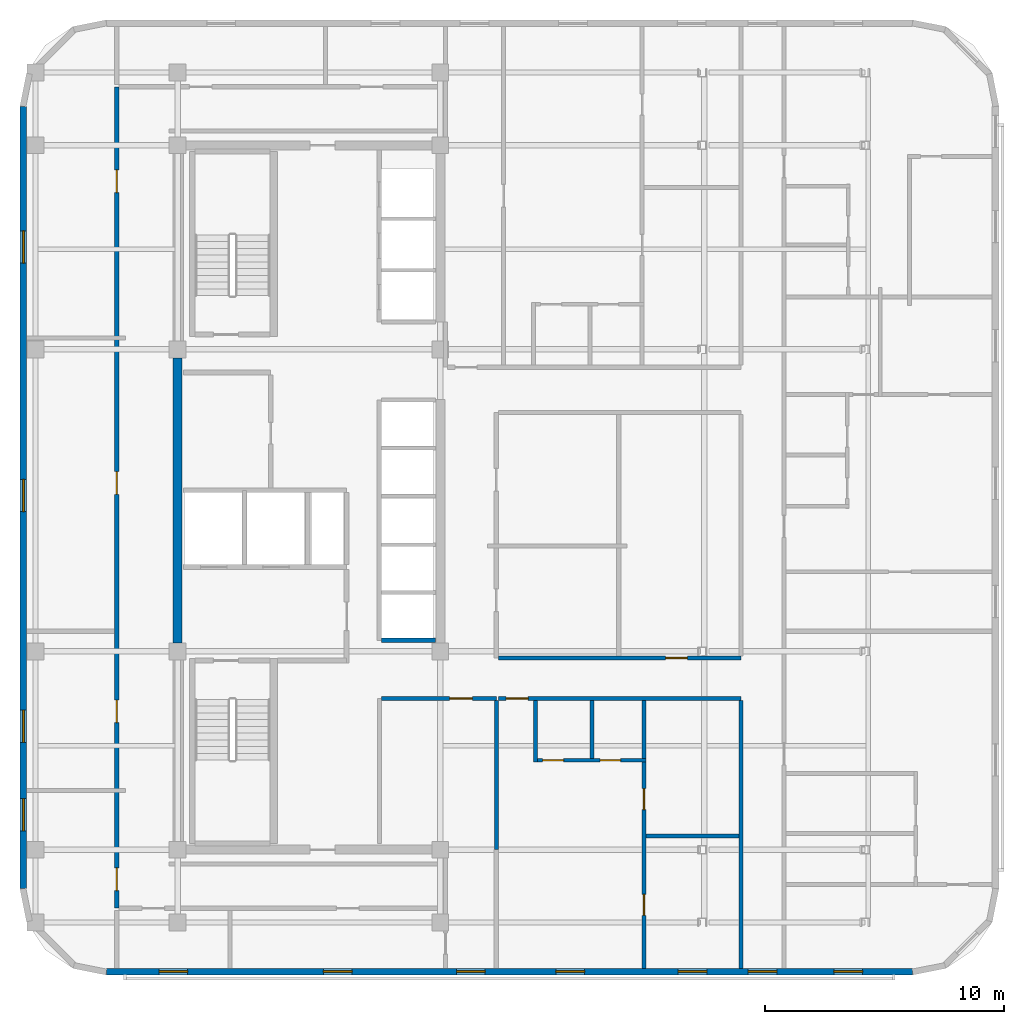
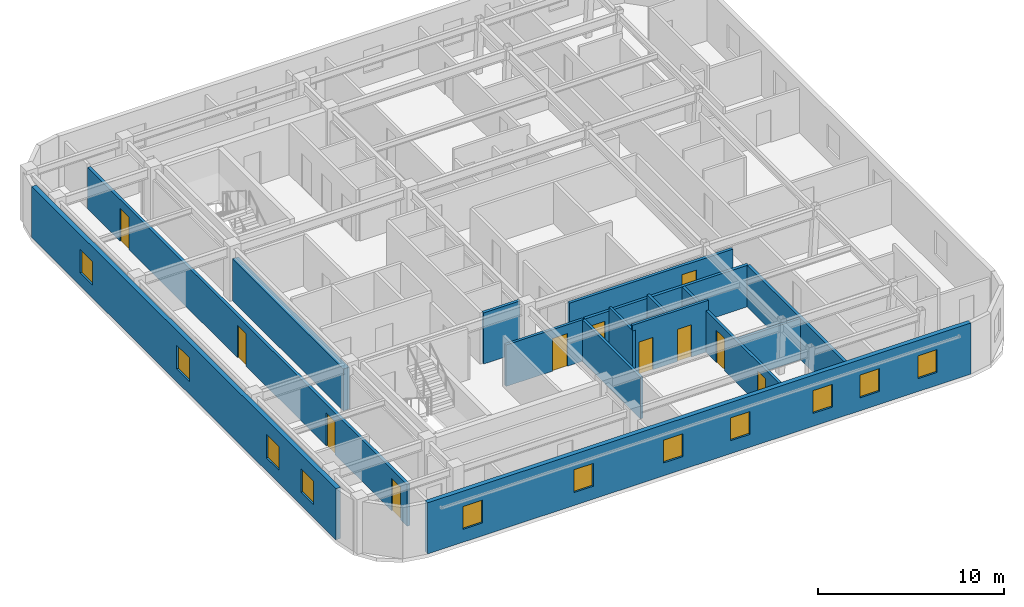
# One storey, part 3 of 10: 15 walls, 11 doors, 11 windows, 22 openings.
"""IFC4 building model written with IfcOpenShell, lengths in metres."""

from ifc_helpers import new_model, si_unit, direction, frame, frame_2d, origin, place, context, subcontext, project, spatial, rectangle, extrude, material, layer, layer_set, type_object, element, fill, save


model = new_model("IFC4")

# Units and contexts
model_context = context("Model", 3, precision=1e-05, world=origin(), true_north=direction((0.0, 1.0)))
body_context = subcontext(model_context, "Body", "Model", "MODEL_VIEW")
ifc_project = project(units=[si_unit("LENGTHUNIT", "METRE"), si_unit("AREAUNIT", "SQUARE_METRE"), si_unit("VOLUMEUNIT", "CUBIC_METRE"), si_unit("PLANEANGLEUNIT", "RADIAN"), si_unit("MASSUNIT", "GRAM", prefix="KILO")], contexts=[model_context])

# Site, building, storey
site_placement = place(None, origin())
site = spatial("IfcSite", under=ifc_project, at=site_placement, CompositionType="ELEMENT")
building_placement = place(site_placement, origin())
building = spatial("IfcBuilding", under=site, at=building_placement, Name="Ochreholt Gables", CompositionType="ELEMENT")
storey_placement = place(building_placement, frame((0.0, 0.0, 177.60009765625)))
storey = spatial("IfcBuildingStorey", under=building, at=storey_placement, Name="L46", CompositionType="ELEMENT", Elevation=177.60009765625)

# Wall
ifc_material_1 = material(Name="Concrete 50 MPa", Category="concrete")
ifc_layer_1 = layer(ifc_material_1, 0.3798828125, Name="Concrete 50 MPa")
ifc_layer_set_1 = layer_set([ifc_layer_1], Name="Concrete 50 MPa")
wall_type_1 = type_object("IfcWallType", Name="WALL-CSW-380", PredefinedType="SHEAR", material=ifc_layer_set_1)
wall_1_placement = place(storey_placement, frame((24.18994140625, 17.89990234375, 0.0), z_axis=(0.0, 0.0, 1.0), x_axis=(0.0, 1.0, 0.0)))
element("IfcWall", 1, at=wall_1_placement, inside=storey, type_object=wall_type_1, Name="L46 Core West Shear Wall WM", PredefinedType="SHEAR", context=body_context, shape_type="SweptSolid", body=[
    extrude(rectangle(XDim=11.9501953125, YDim=0.3798828125, at=frame_2d((5.97509765625, 0.0))), origin(), (0.0, 0.0, 1.0), 2.747802734375),
])

# Wall, openings, windows
ifc_material_2 = material(Name="Precast concrete 40 MPa", Category="concrete")
ifc_layer_2 = layer(ifc_material_2, 0.280029296875, Name="Precast concrete 40 MPa")
ifc_layer_set_2 = layer_set([ifc_layer_2], Name="Precast concrete 40 MPa")
wall_type_2 = type_object("IfcWallType", Name="WALL-EXT-280", PredefinedType="SOLIDWALL", material=ifc_layer_set_2)
wall_2_placement = place(storey_placement, frame((21.219970703125, 4.139892578125, 0.0), z_axis=(0.0, 0.0, 1.0), x_axis=(1.0, 0.0, 0.0)))
wall_2 = element("IfcWall", 2, at=wall_2_placement, inside=storey, type_object=wall_type_2, Name="L46 South Exterior Wall", PredefinedType="SOLIDWALL", context=body_context, shape_type="SweptSolid", body=[
    extrude(rectangle(XDim=33.760009765625, YDim=0.280029296875, at=frame_2d((16.8798828125, 0.0))), origin(), (0.0, 0.0, 1.0), 3.35986328125),
])
opening_1_placement = place(wall_2_placement, frame((2.205078125, 0.0, 0.85009765625)))
opening_1 = element("IfcOpeningElement", 3, at=opening_1_placement, cuts=wall_2, Name="Opening WN-3", PredefinedType="OPENING", context=body_context, shape_type="SweptSolid", body=[
    extrude(rectangle(XDim=1.199951171875, YDim=1.5, at=frame_2d((0.60009765625, 0.75))), frame((0.0, 0.14990234375, 0.0), z_axis=(0.0, -1.0, 0.0), x_axis=(1.0, 0.0, 0.0)), (0.0, 0.0, 1.0), 0.300048828125),
])
opening_2_placement = place(wall_2_placement, frame((9.090087890625, 0.0, 0.85009765625)))
opening_2 = element("IfcOpeningElement", 4, at=opening_2_placement, cuts=wall_2, Name="Opening WN-3", PredefinedType="OPENING", context=body_context, shape_type="SweptSolid", body=[
    extrude(rectangle(XDim=1.199951171875, YDim=1.5, at=frame_2d((0.60009765625, 0.75))), frame((0.0, 0.14990234375, 0.0), z_axis=(0.0, -1.0, 0.0), x_axis=(1.0, 0.0, 0.0)), (0.0, 0.0, 1.0), 0.300048828125),
])
opening_3_placement = place(wall_2_placement, frame((14.6650390625, 0.0, 0.85009765625)))
opening_3 = element("IfcOpeningElement", 5, at=opening_3_placement, cuts=wall_2, Name="Opening WN-3", PredefinedType="OPENING", context=body_context, shape_type="SweptSolid", body=[
    extrude(rectangle(XDim=1.199951171875, YDim=1.5, at=frame_2d((0.60009765625, 0.75))), frame((0.0, 0.14990234375, 0.0), z_axis=(0.0, -1.0, 0.0), x_axis=(1.0, 0.0, 0.0)), (0.0, 0.0, 1.0), 0.300048828125),
])
opening_4_placement = place(wall_2_placement, frame((18.824951171875, 0.0, 0.85009765625)))
opening_4 = element("IfcOpeningElement", 6, at=opening_4_placement, cuts=wall_2, Name="Opening WN-3", PredefinedType="OPENING", context=body_context, shape_type="SweptSolid", body=[
    extrude(rectangle(XDim=1.199951171875, YDim=1.5, at=frame_2d((0.60009765625, 0.75))), frame((0.0, 0.14990234375, 0.0), z_axis=(0.0, -1.0, 0.0), x_axis=(1.0, 0.0, 0.0)), (0.0, 0.0, 1.0), 0.300048828125),
])
opening_5_placement = place(wall_2_placement, frame((23.949951171875, 0.0, 0.85009765625)))
opening_5 = element("IfcOpeningElement", 7, at=opening_5_placement, cuts=wall_2, Name="Opening WN-3", PredefinedType="OPENING", context=body_context, shape_type="SweptSolid", body=[
    extrude(rectangle(XDim=1.199951171875, YDim=1.5, at=frame_2d((0.60009765625, 0.75))), frame((0.0, 0.14990234375, 0.0), z_axis=(0.0, -1.0, 0.0), x_axis=(1.0, 0.0, 0.0)), (0.0, 0.0, 1.0), 0.300048828125),
])
opening_6_placement = place(wall_2_placement, frame((26.8798828125, 0.0, 0.85009765625)))
opening_6 = element("IfcOpeningElement", 8, at=opening_6_placement, cuts=wall_2, Name="Opening WN-3", PredefinedType="OPENING", context=body_context, shape_type="SweptSolid", body=[
    extrude(rectangle(XDim=1.199951171875, YDim=1.5, at=frame_2d((0.60009765625, 0.75))), frame((0.0, 0.14990234375, 0.0), z_axis=(0.0, -1.0, 0.0), x_axis=(1.0, 0.0, 0.0)), (0.0, 0.0, 1.0), 0.300048828125),
])
opening_7_placement = place(wall_2_placement, frame((30.469970703125, 0.0, 0.85009765625)))
opening_7 = element("IfcOpeningElement", 9, at=opening_7_placement, cuts=wall_2, Name="Opening WN-3", PredefinedType="OPENING", context=body_context, shape_type="SweptSolid", body=[
    extrude(rectangle(XDim=1.199951171875, YDim=1.5, at=frame_2d((0.60009765625, 0.75))), frame((0.0, 0.14990234375, 0.0), z_axis=(0.0, -1.0, 0.0), x_axis=(1.0, 0.0, 0.0)), (0.0, 0.0, 1.0), 0.300048828125),
])
ifc_material_3 = material(Name="Triple-Glazed Thermally Broken Aluminium Window", Category="aluminium")
window_type_1 = type_object("IfcWindowType", Name="WIN-RES-1200", PartitioningType="SINGLE_PANEL", PredefinedType="WINDOW", material=ifc_material_3)
window_1_placement = place(opening_1_placement, origin())
window_1 = element("IfcWindow", 10, at=window_1_placement, inside=storey, type_object=window_type_1, Name="L46 Window W-EXT-S-L46-1", OverallHeight=1.5, OverallWidth=1.199951171875, PartitioningType="SINGLE_PANEL", PredefinedType="WINDOW", context=body_context, shape_type="SweptSolid", body=[
    extrude(rectangle(XDim=1.199951171875, YDim=1.5, at=frame_2d((0.60009765625, 0.75))), frame((0.0, 0.030029296875, 0.0), z_axis=(0.0, -1.0, 0.0), x_axis=(1.0, 0.0, 0.0)), (0.0, 0.0, 1.0), 0.06005859375),
])
fill(opening_1, window_1)
window_2_placement = place(opening_2_placement, origin())
window_2 = element("IfcWindow", 11, at=window_2_placement, inside=storey, type_object=window_type_1, Name="L46 Window W-EXT-S-L46-2", OverallHeight=1.5, OverallWidth=1.199951171875, PartitioningType="SINGLE_PANEL", PredefinedType="WINDOW", context=body_context, shape_type="SweptSolid", body=[
    extrude(rectangle(XDim=1.199951171875, YDim=1.5, at=frame_2d((0.60009765625, 0.75))), frame((0.0, 0.030029296875, 0.0), z_axis=(0.0, -1.0, 0.0), x_axis=(1.0, 0.0, 0.0)), (0.0, 0.0, 1.0), 0.06005859375),
])
fill(opening_2, window_2)
window_3_placement = place(opening_3_placement, origin())
window_3 = element("IfcWindow", 12, at=window_3_placement, inside=storey, type_object=window_type_1, Name="L46 Window W-EXT-S-L46-3", OverallHeight=1.5, OverallWidth=1.199951171875, PartitioningType="SINGLE_PANEL", PredefinedType="WINDOW", context=body_context, shape_type="SweptSolid", body=[
    extrude(rectangle(XDim=1.199951171875, YDim=1.5, at=frame_2d((0.60009765625, 0.75))), frame((0.0, 0.030029296875, 0.0), z_axis=(0.0, -1.0, 0.0), x_axis=(1.0, 0.0, 0.0)), (0.0, 0.0, 1.0), 0.06005859375),
])
fill(opening_3, window_3)
window_4_placement = place(opening_4_placement, origin())
window_4 = element("IfcWindow", 13, at=window_4_placement, inside=storey, type_object=window_type_1, Name="L46 Window W-EXT-S-L46-4", OverallHeight=1.5, OverallWidth=1.199951171875, PartitioningType="SINGLE_PANEL", PredefinedType="WINDOW", context=body_context, shape_type="SweptSolid", body=[
    extrude(rectangle(XDim=1.199951171875, YDim=1.5, at=frame_2d((0.60009765625, 0.75))), frame((0.0, 0.030029296875, 0.0), z_axis=(0.0, -1.0, 0.0), x_axis=(1.0, 0.0, 0.0)), (0.0, 0.0, 1.0), 0.06005859375),
])
fill(opening_4, window_4)
window_5_placement = place(opening_5_placement, origin())
window_5 = element("IfcWindow", 14, at=window_5_placement, inside=storey, type_object=window_type_1, Name="L46 Window W-EXT-S-L46-5", OverallHeight=1.5, OverallWidth=1.199951171875, PartitioningType="SINGLE_PANEL", PredefinedType="WINDOW", context=body_context, shape_type="SweptSolid", body=[
    extrude(rectangle(XDim=1.199951171875, YDim=1.5, at=frame_2d((0.60009765625, 0.75))), frame((0.0, 0.030029296875, 0.0), z_axis=(0.0, -1.0, 0.0), x_axis=(1.0, 0.0, 0.0)), (0.0, 0.0, 1.0), 0.06005859375),
])
fill(opening_5, window_5)
window_6_placement = place(opening_6_placement, origin())
window_6 = element("IfcWindow", 15, at=window_6_placement, inside=storey, type_object=window_type_1, Name="L46 Window W-EXT-S-L46-6", OverallHeight=1.5, OverallWidth=1.199951171875, PartitioningType="SINGLE_PANEL", PredefinedType="WINDOW", context=body_context, shape_type="SweptSolid", body=[
    extrude(rectangle(XDim=1.199951171875, YDim=1.5, at=frame_2d((0.60009765625, 0.75))), frame((0.0, 0.030029296875, 0.0), z_axis=(0.0, -1.0, 0.0), x_axis=(1.0, 0.0, 0.0)), (0.0, 0.0, 1.0), 0.06005859375),
])
fill(opening_6, window_6)
window_7_placement = place(opening_7_placement, origin())
window_7 = element("IfcWindow", 16, at=window_7_placement, inside=storey, type_object=window_type_1, Name="L46 Window W-EXT-S-L46-7", OverallHeight=1.5, OverallWidth=1.199951171875, PartitioningType="SINGLE_PANEL", PredefinedType="WINDOW", context=body_context, shape_type="SweptSolid", body=[
    extrude(rectangle(XDim=1.199951171875, YDim=1.5, at=frame_2d((0.60009765625, 0.75))), frame((0.0, 0.030029296875, 0.0), z_axis=(0.0, -1.0, 0.0), x_axis=(1.0, 0.0, 0.0)), (0.0, 0.0, 1.0), 0.06005859375),
])
fill(opening_7, window_7)

wall_3_placement = place(storey_placement, frame((17.739990234375, 40.3798828125, 0.0), z_axis=(0.0, 0.0, 1.0), x_axis=(0.0, -1.0, 0.0)))
wall_3 = element("IfcWall", 17, at=wall_3_placement, inside=storey, type_object=wall_type_2, Name="L46 West Exterior Wall", PredefinedType="SOLIDWALL", context=body_context, shape_type="SweptSolid", body=[
    extrude(rectangle(XDim=32.759765625, YDim=0.280029296875, at=frame_2d((16.3798828125, 0.0))), origin(), (0.0, 0.0, 1.0), 3.35986328125),
])
opening_8_placement = place(wall_3_placement, frame((28.99755859375, 0.0, 0.85009765625)))
opening_8 = element("IfcOpeningElement", 18, at=opening_8_placement, cuts=wall_3, Name="Opening WN-8", PredefinedType="OPENING", context=body_context, shape_type="SweptSolid", body=[
    extrude(rectangle(XDim=1.35009765625, YDim=1.550048828125, at=frame_2d((0.675048828125, 0.77490234375))), frame((0.0, 0.14990234375, 0.0), z_axis=(0.0, -1.0, 0.0), x_axis=(1.0, 0.0, 0.0)), (0.0, 0.0, 1.0), 0.300048828125),
])
opening_9_placement = place(wall_3_placement, frame((25.28759765625, 0.0, 0.85009765625)))
opening_9 = element("IfcOpeningElement", 19, at=opening_9_placement, cuts=wall_3, Name="Opening WN-8", PredefinedType="OPENING", context=body_context, shape_type="SweptSolid", body=[
    extrude(rectangle(XDim=1.35009765625, YDim=1.550048828125, at=frame_2d((0.675048828125, 0.77490234375))), frame((0.0, 0.14990234375, 0.0), z_axis=(0.0, -1.0, 0.0), x_axis=(1.0, 0.0, 0.0)), (0.0, 0.0, 1.0), 0.300048828125),
])
opening_10_placement = place(wall_3_placement, frame((15.625, 0.0, 0.85009765625)))
opening_10 = element("IfcOpeningElement", 20, at=opening_10_placement, cuts=wall_3, Name="Opening WN-8", PredefinedType="OPENING", context=body_context, shape_type="SweptSolid", body=[
    extrude(rectangle(XDim=1.35009765625, YDim=1.550048828125, at=frame_2d((0.675048828125, 0.77490234375))), frame((0.0, 0.14990234375, 0.0), z_axis=(0.0, -1.0, 0.0), x_axis=(1.0, 0.0, 0.0)), (0.0, 0.0, 1.0), 0.300048828125),
])
opening_11_placement = place(wall_3_placement, frame((5.21240234375, 0.0, 0.85009765625)))
opening_11 = element("IfcOpeningElement", 21, at=opening_11_placement, cuts=wall_3, Name="Opening WN-8", PredefinedType="OPENING", context=body_context, shape_type="SweptSolid", body=[
    extrude(rectangle(XDim=1.35009765625, YDim=1.550048828125, at=frame_2d((0.675048828125, 0.77490234375))), frame((0.0, 0.14990234375, 0.0), z_axis=(0.0, -1.0, 0.0), x_axis=(1.0, 0.0, 0.0)), (0.0, 0.0, 1.0), 0.300048828125),
])
window_type_2 = type_object("IfcWindowType", Name="WIN-RES-1350", PartitioningType="SINGLE_PANEL", PredefinedType="WINDOW", material=ifc_material_3)
window_8_placement = place(opening_8_placement, origin())
window_8 = element("IfcWindow", 22, at=window_8_placement, inside=storey, type_object=window_type_2, Name="L46 Window W-EXT-W-L46-1", OverallHeight=1.550048828125, OverallWidth=1.35009765625, PartitioningType="SINGLE_PANEL", PredefinedType="WINDOW", context=body_context, shape_type="SweptSolid", body=[
    extrude(rectangle(XDim=1.35009765625, YDim=1.550048828125, at=frame_2d((0.675048828125, 0.77490234375))), frame((0.0, 0.030029296875, 0.0), z_axis=(0.0, -1.0, 0.0), x_axis=(1.0, 0.0, 0.0)), (0.0, 0.0, 1.0), 0.06005859375),
])
fill(opening_8, window_8)
window_9_placement = place(opening_9_placement, origin())
window_9 = element("IfcWindow", 23, at=window_9_placement, inside=storey, type_object=window_type_2, Name="L46 Window W-EXT-W-L46-2", OverallHeight=1.550048828125, OverallWidth=1.35009765625, PartitioningType="SINGLE_PANEL", PredefinedType="WINDOW", context=body_context, shape_type="SweptSolid", body=[
    extrude(rectangle(XDim=1.35009765625, YDim=1.550048828125, at=frame_2d((0.675048828125, 0.77490234375))), frame((0.0, 0.030029296875, 0.0), z_axis=(0.0, -1.0, 0.0), x_axis=(1.0, 0.0, 0.0)), (0.0, 0.0, 1.0), 0.06005859375),
])
fill(opening_9, window_9)
window_10_placement = place(opening_10_placement, origin())
window_10 = element("IfcWindow", 24, at=window_10_placement, inside=storey, type_object=window_type_2, Name="L46 Window W-EXT-W-L46-3", OverallHeight=1.550048828125, OverallWidth=1.35009765625, PartitioningType="SINGLE_PANEL", PredefinedType="WINDOW", context=body_context, shape_type="SweptSolid", body=[
    extrude(rectangle(XDim=1.35009765625, YDim=1.550048828125, at=frame_2d((0.675048828125, 0.77490234375))), frame((0.0, 0.030029296875, 0.0), z_axis=(0.0, -1.0, 0.0), x_axis=(1.0, 0.0, 0.0)), (0.0, 0.0, 1.0), 0.06005859375),
])
fill(opening_10, window_10)
window_11_placement = place(opening_11_placement, origin())
window_11 = element("IfcWindow", 25, at=window_11_placement, inside=storey, type_object=window_type_2, Name="L46 Window W-EXT-W-L46-4", OverallHeight=1.550048828125, OverallWidth=1.35009765625, PartitioningType="SINGLE_PANEL", PredefinedType="WINDOW", context=body_context, shape_type="SweptSolid", body=[
    extrude(rectangle(XDim=1.35009765625, YDim=1.550048828125, at=frame_2d((0.675048828125, 0.77490234375))), frame((0.0, 0.030029296875, 0.0), z_axis=(0.0, -1.0, 0.0), x_axis=(1.0, 0.0, 0.0)), (0.0, 0.0, 1.0), 0.06005859375),
])
fill(opening_11, window_11)

# Wall, opening, door
ifc_material_4 = material(Name="Fire-Rated Gypsum Acoustic Partition", Category="gypsum")
ifc_layer_3 = layer(ifc_material_4, 0.179931640625, Name="Fire-Rated Gypsum Acoustic Partition")
ifc_layer_set_3 = layer_set([ifc_layer_3], Name="Fire-Rated Gypsum Acoustic Partition")
wall_type_3 = type_object("IfcWallType", Name="WALL-INT-CR180", PredefinedType="STANDARD", material=ifc_layer_set_3)
wall_4_placement = place(storey_placement, frame((37.632568359375, 15.580078125, 0.0), z_axis=(0.0, 0.0, 1.0), x_axis=(1.0, 0.0, 0.0)))
wall_4 = element("IfcWall", 26, at=wall_4_placement, inside=storey, type_object=wall_type_3, Name="L46 Interior Wall WI-C2SS1-L46", PredefinedType="STANDARD", context=body_context, shape_type="SweptSolid", body=[
    extrude(rectangle(XDim=10.16748046875, YDim=0.179931640625, at=frame_2d((5.083740234375, 0.0))), origin(), (0.0, 0.0, 1.0), 2.72998046875),
])
opening_12_placement = place(wall_4_placement, frame((0.327392578125, 0.0, 0.0)))
opening_12 = element("IfcOpeningElement", 27, at=opening_12_placement, cuts=wall_4, Name="Opening D-UN1", PredefinedType="OPENING", context=body_context, shape_type="SweptSolid", body=[
    extrude(rectangle(XDim=0.919921875, YDim=2.14990234375, at=frame_2d((0.4599609375, 1.074951171875))), frame((0.0, 0.099853515625, 0.0), z_axis=(0.0, -1.0, 0.0), x_axis=(1.0, 0.0, 0.0)), (0.0, 0.0, 1.0), 0.199951171875),
])
ifc_material_5 = material(Name="Engineered Oak Timber", Category="wood")
door_type_1 = type_object("IfcDoorType", Name="DR-INT-UNT920", OperationType="NOTDEFINED", PredefinedType="DOOR", material=ifc_material_5)
door_1_placement = place(opening_12_placement, origin())
door_1 = element("IfcDoor", 28, at=door_1_placement, inside=storey, type_object=door_type_1, Name="L46 Door D-U-L46S1-ENT", OperationType="SINGLE_SWING_RIGHT", OverallHeight=2.14990234375, OverallWidth=0.919921875, PredefinedType="DOOR", context=body_context, shape_type="SweptSolid", body=[
    extrude(rectangle(XDim=0.919921875, YDim=2.14990234375, at=frame_2d((0.4599609375, 1.074951171875))), frame((0.0, 0.02490234375, 0.0), z_axis=(0.0, -1.0, 0.0), x_axis=(1.0, 0.0, 0.0)), (0.0, 0.0, 1.0), 0.050048828125),
])
fill(opening_12, door_1)

wall_5_placement = place(storey_placement, frame((37.639892578125, 17.280029296875, 0.0), z_axis=(0.0, 0.0, 1.0), x_axis=(1.0, 0.0, 0.0)))
wall_5 = element("IfcWall", 29, at=wall_5_placement, inside=storey, type_object=wall_type_3, Name="L46 Interior Wall WI-C2SS2-L46", PredefinedType="STANDARD", context=body_context, shape_type="SweptSolid", body=[
    extrude(rectangle(XDim=10.16015625, YDim=0.179931640625, at=frame_2d((5.080078125, 0.0))), origin(), (0.0, 0.0, 1.0), 2.72998046875),
])
opening_13_placement = place(wall_5_placement, frame((6.99755859375, 0.0, 0.0)))
opening_13 = element("IfcOpeningElement", 30, at=opening_13_placement, cuts=wall_5, Name="Opening D-UN1", PredefinedType="OPENING", context=body_context, shape_type="SweptSolid", body=[
    extrude(rectangle(XDim=0.919921875, YDim=2.14990234375, at=frame_2d((0.4599609375, 1.074951171875))), frame((0.0, 0.099853515625, 0.0), z_axis=(0.0, -1.0, 0.0), x_axis=(1.0, 0.0, 0.0)), (0.0, 0.0, 1.0), 0.199951171875),
])
door_2_placement = place(opening_13_placement, origin())
door_2 = element("IfcDoor", 31, at=door_2_placement, inside=storey, type_object=door_type_1, Name="L46 Door D-U-L46M2-ENT", OperationType="SINGLE_SWING_LEFT", OverallHeight=2.14990234375, OverallWidth=0.919921875, PredefinedType="DOOR", context=body_context, shape_type="SweptSolid", body=[
    extrude(rectangle(XDim=0.919921875, YDim=2.14990234375, at=frame_2d((0.4599609375, 1.074951171875))), frame((0.0, 0.02490234375, 0.0), z_axis=(0.0, -1.0, 0.0), x_axis=(1.0, 0.0, 0.0)), (0.0, 0.0, 1.0), 0.050048828125),
])
fill(opening_13, door_2)

# Wall, openings, doors
wall_6_placement = place(storey_placement, frame((21.64990234375, 6.800048828125, 0.0), z_axis=(0.0, 0.0, 1.0), x_axis=(0.0, 1.0, 0.0)))
wall_6 = element("IfcWall", 32, at=wall_6_placement, inside=storey, type_object=wall_type_3, Name="L46 Interior Wall WI-C2WCW-L46", PredefinedType="STANDARD", context=body_context, shape_type="SweptSolid", body=[
    extrude(rectangle(XDim=34.39990234375, YDim=0.179931640625, at=frame_2d((17.199951171875, 0.0))), origin(), (0.0, 0.0, 1.0), 2.72998046875),
])
opening_14_placement = place(wall_6_placement, frame((0.732421875, 0.0, 0.0)))
opening_14 = element("IfcOpeningElement", 33, at=opening_14_placement, cuts=wall_6, Name="Opening D-GN1", PredefinedType="OPENING", context=body_context, shape_type="SweptSolid", body=[
    extrude(rectangle(XDim=0.949951171875, YDim=2.14990234375, at=frame_2d((0.47509765625, 1.074951171875))), frame((0.0, 0.099853515625, 0.0), z_axis=(0.0, -1.0, 0.0), x_axis=(1.0, 0.0, 0.0)), (0.0, 0.0, 1.0), 0.199951171875),
])
opening_15_placement = place(wall_6_placement, frame((7.767578125, 0.0, 0.0)))
opening_15 = element("IfcOpeningElement", 34, at=opening_15_placement, cuts=wall_6, Name="Opening D-GN1", PredefinedType="OPENING", context=body_context, shape_type="SweptSolid", body=[
    extrude(rectangle(XDim=0.949951171875, YDim=2.14990234375, at=frame_2d((0.47509765625, 1.074951171875))), frame((0.0, 0.099853515625, 0.0), z_axis=(0.0, -1.0, 0.0), x_axis=(1.0, 0.0, 0.0)), (0.0, 0.0, 1.0), 0.199951171875),
])
opening_16_placement = place(wall_6_placement, frame((17.33251953125, 0.0, 0.0)))
opening_16 = element("IfcOpeningElement", 35, at=opening_16_placement, cuts=wall_6, Name="Opening D-GN1", PredefinedType="OPENING", context=body_context, shape_type="SweptSolid", body=[
    extrude(rectangle(XDim=0.949951171875, YDim=2.14990234375, at=frame_2d((0.47509765625, 1.074951171875))), frame((0.0, 0.099853515625, 0.0), z_axis=(0.0, -1.0, 0.0), x_axis=(1.0, 0.0, 0.0)), (0.0, 0.0, 1.0), 0.199951171875),
])
opening_17_placement = place(wall_6_placement, frame((29.967529296875, 0.0, 0.0)))
opening_17 = element("IfcOpeningElement", 36, at=opening_17_placement, cuts=wall_6, Name="Opening D-GN1", PredefinedType="OPENING", context=body_context, shape_type="SweptSolid", body=[
    extrude(rectangle(XDim=0.949951171875, YDim=2.14990234375, at=frame_2d((0.47509765625, 1.074951171875))), frame((0.0, 0.099853515625, 0.0), z_axis=(0.0, -1.0, 0.0), x_axis=(1.0, 0.0, 0.0)), (0.0, 0.0, 1.0), 0.199951171875),
])
door_type_2 = type_object("IfcDoorType", Name="DR-INT-GEN950", OperationType="NOTDEFINED", PredefinedType="DOOR", material=ifc_material_5)
door_3_placement = place(opening_14_placement, origin())
door_3 = element("IfcDoor", 37, at=door_3_placement, inside=storey, type_object=door_type_2, Name="L46 Door D-U-L46W1A-ENT", OperationType="SINGLE_SWING_LEFT", OverallHeight=2.14990234375, OverallWidth=0.949951171875, PredefinedType="DOOR", context=body_context, shape_type="SweptSolid", body=[
    extrude(rectangle(XDim=0.949951171875, YDim=2.14990234375, at=frame_2d((0.47509765625, 1.074951171875))), frame((0.0, 0.02490234375, 0.0), z_axis=(0.0, -1.0, 0.0), x_axis=(1.0, 0.0, 0.0)), (0.0, 0.0, 1.0), 0.050048828125),
])
fill(opening_14, door_3)
door_4_placement = place(opening_15_placement, origin())
door_4 = element("IfcDoor", 38, at=door_4_placement, inside=storey, type_object=door_type_2, Name="L46 Door D-U-L46W1B-ENT", OperationType="SINGLE_SWING_RIGHT", OverallHeight=2.14990234375, OverallWidth=0.949951171875, PredefinedType="DOOR", context=body_context, shape_type="SweptSolid", body=[
    extrude(rectangle(XDim=0.949951171875, YDim=2.14990234375, at=frame_2d((0.47509765625, 1.074951171875))), frame((0.0, 0.02490234375, 0.0), z_axis=(0.0, -1.0, 0.0), x_axis=(1.0, 0.0, 0.0)), (0.0, 0.0, 1.0), 0.050048828125),
])
fill(opening_15, door_4)
door_5_placement = place(opening_16_placement, origin())
door_5 = element("IfcDoor", 39, at=door_5_placement, inside=storey, type_object=door_type_2, Name="L46 Door D-U-L46W2A-ENT", OperationType="SINGLE_SWING_RIGHT", OverallHeight=2.14990234375, OverallWidth=0.949951171875, PredefinedType="DOOR", context=body_context, shape_type="SweptSolid", body=[
    extrude(rectangle(XDim=0.949951171875, YDim=2.14990234375, at=frame_2d((0.47509765625, 1.074951171875))), frame((0.0, 0.02490234375, 0.0), z_axis=(0.0, -1.0, 0.0), x_axis=(1.0, 0.0, 0.0)), (0.0, 0.0, 1.0), 0.050048828125),
])
fill(opening_16, door_5)
door_6_placement = place(opening_17_placement, origin())
door_6 = element("IfcDoor", 40, at=door_6_placement, inside=storey, type_object=door_type_2, Name="L46 Door D-U-L46W2B-ENT", OperationType="SINGLE_SWING_LEFT", OverallHeight=2.14990234375, OverallWidth=0.949951171875, PredefinedType="DOOR", context=body_context, shape_type="SweptSolid", body=[
    extrude(rectangle(XDim=0.949951171875, YDim=2.14990234375, at=frame_2d((0.47509765625, 1.074951171875))), frame((0.0, 0.02490234375, 0.0), z_axis=(0.0, -1.0, 0.0), x_axis=(1.0, 0.0, 0.0)), (0.0, 0.0, 1.0), 0.050048828125),
])
fill(opening_17, door_6)

# Wall
wall_7_placement = place(storey_placement, frame((47.800048828125, 4.280029296875, 0.0), z_axis=(0.0, 0.0, 1.0), x_axis=(0.0, 1.0, 0.0)))
element("IfcWall", 41, at=wall_7_placement, inside=storey, type_object=wall_type_3, Name="L46 Interior Wall WI-C2FEGW1-L46", PredefinedType="STANDARD", context=body_context, shape_type="SweptSolid", body=[
    extrude(rectangle(XDim=11.2099609375, YDim=0.179931640625, at=frame_2d((5.60498046875, 0.0))), origin(), (0.0, 0.0, 1.0), 2.72998046875),
])

# Wall, openings, doors
ifc_material_6 = material(Name="Moisture-Resistant Plumbing Chase Wall", Category="gypsum")
ifc_layer_4 = layer(ifc_material_6, 0.159912109375, Name="Moisture-Resistant Plumbing Chase Wall")
ifc_layer_set_4 = layer_set([ifc_layer_4], Name="Moisture-Resistant Plumbing Chase Wall")
wall_type_4 = type_object("IfcWallType", Name="WALL-INT-PL160", PredefinedType="PLUMBINGWALL", material=ifc_layer_set_4)
wall_8_placement = place(storey_placement, frame((39.110107421875, 12.992431640625, 0.0), z_axis=(0.0, 0.0, 1.0), x_axis=(1.0, 0.0, 0.0)))
wall_8 = element("IfcWall", 42, at=wall_8_placement, inside=storey, type_object=wall_type_4, Name="L46 Interior Wall WU-L46S1-WY", PredefinedType="PLUMBINGWALL", context=body_context, shape_type="SweptSolid", body=[
    extrude(rectangle(XDim=4.7099609375, YDim=0.159912109375, at=frame_2d((2.35498046875, 0.0))), origin(), (0.0, 0.0, 1.0), 3.35986328125),
])
opening_18_placement = place(wall_8_placement, frame((0.3798828125, 0.0, 0.0)))
opening_18 = element("IfcOpeningElement", 43, at=opening_18_placement, cuts=wall_8, Name="Opening D-GN2", PredefinedType="OPENING", context=body_context, shape_type="SweptSolid", body=[
    extrude(rectangle(XDim=0.8798828125, YDim=2.1201171875, at=frame_2d((0.43994140625, 1.06005859375))), frame((0.0, 0.08984375, 0.0), z_axis=(0.0, -1.0, 0.0), x_axis=(1.0, 0.0, 0.0)), (0.0, 0.0, 1.0), 0.179931640625),
])
opening_19_placement = place(wall_8_placement, frame((2.785888671875, 0.0, 0.0)))
opening_19 = element("IfcOpeningElement", 44, at=opening_19_placement, cuts=wall_8, Name="Opening D-BT1", PredefinedType="OPENING", context=body_context, shape_type="SweptSolid", body=[
    extrude(rectangle(XDim=0.860107421875, YDim=2.1201171875, at=frame_2d((0.43017578125, 1.06005859375))), frame((0.0, 0.08984375, 0.0), z_axis=(0.0, -1.0, 0.0), x_axis=(1.0, 0.0, 0.0)), (0.0, 0.0, 1.0), 0.179931640625),
])
door_type_3 = type_object("IfcDoorType", Name="DR-INT-BTH860", OperationType="NOTDEFINED", PredefinedType="DOOR", material=ifc_material_5)
door_7_placement = place(opening_19_placement, origin())
door_7 = element("IfcDoor", 45, at=door_7_placement, inside=storey, type_object=door_type_3, Name="L46 Door D-U-L46S1-BTH", OperationType="SINGLE_SWING_RIGHT", OverallHeight=2.1201171875, OverallWidth=0.860107421875, PredefinedType="DOOR", context=body_context, shape_type="SweptSolid", body=[
    extrude(rectangle(XDim=0.860107421875, YDim=2.1201171875, at=frame_2d((0.43017578125, 1.06005859375))), frame((0.0, 0.02490234375, 0.0), z_axis=(0.0, -1.0, 0.0), x_axis=(1.0, 0.0, 0.0)), (0.0, 0.0, 1.0), 0.050048828125),
])
fill(opening_19, door_7)
door_type_4 = type_object("IfcDoorType", Name="DR-INT-GEN880", OperationType="NOTDEFINED", PredefinedType="DOOR", material=ifc_material_5)
door_8_placement = place(opening_18_placement, origin())
door_8 = element("IfcDoor", 46, at=door_8_placement, inside=storey, type_object=door_type_4, Name="L46 Door D-U-L46S1-KIT", OperationType="SINGLE_SWING_LEFT", OverallHeight=2.1201171875, OverallWidth=0.8798828125, PredefinedType="DOOR", context=body_context, shape_type="SweptSolid", body=[
    extrude(rectangle(XDim=0.8798828125, YDim=2.1201171875, at=frame_2d((0.43994140625, 1.06005859375))), frame((0.0, 0.02490234375, 0.0), z_axis=(0.0, -1.0, 0.0), x_axis=(1.0, 0.0, 0.0)), (0.0, 0.0, 1.0), 0.050048828125),
])
fill(opening_18, door_8)

# Walls
wall_9_placement = place(storey_placement, frame((39.18994140625, 12.91259765625, 0.0), z_axis=(0.0, 0.0, 1.0), x_axis=(0.0, 1.0, 0.0)))
element("IfcWall", 47, at=wall_9_placement, inside=storey, type_object=wall_type_4, Name="L46 Interior Wall WU-L46S1-FY", PredefinedType="PLUMBINGWALL", context=body_context, shape_type="SweptSolid", body=[
    extrude(rectangle(XDim=2.577392578125, YDim=0.159912109375, at=frame_2d((1.28857421875, 0.0))), origin(), (0.0, 0.0, 1.0), 2.98388671875),
])
wall_10_placement = place(storey_placement, frame((41.555908203125, 13.072509765625, 0.0), z_axis=(0.0, 0.0, 1.0), x_axis=(0.0, 1.0, 0.0)))
element("IfcWall", 48, at=wall_10_placement, inside=storey, type_object=wall_type_4, Name="L46 Interior Wall WU-L46S1-WK", PredefinedType="PLUMBINGWALL", context=body_context, shape_type="SweptSolid", body=[
    extrude(rectangle(XDim=2.41748046875, YDim=0.159912109375, at=frame_2d((1.208740234375, 0.0))), origin(), (0.0, 0.0, 1.0), 2.98388671875),
])

# Wall, opening, door
ifc_material_7 = material(Name="Gypsum Acoustic Stud Partition", Category="gypsum")
ifc_layer_5 = layer(ifc_material_7, 0.1650390625, Name="Gypsum Acoustic Stud Partition")
ifc_layer_set_5 = layer_set([ifc_layer_5], Name="Gypsum Acoustic Stud Partition")
wall_type_5 = type_object("IfcWallType", Name="WALL-INT-PT165", PredefinedType="PARTITIONING", material=ifc_layer_set_5)
wall_11_placement = place(storey_placement, frame((32.732421875, 15.580078125, 0.0), z_axis=(0.0, 0.0, 1.0), x_axis=(1.0, 0.0, 0.0)))
wall_11 = element("IfcWall", 49, at=wall_11_placement, inside=storey, type_object=wall_type_5, Name="L46 Interior Wall WI-RCL-N-L46", PredefinedType="PARTITIONING", context=body_context, shape_type="SweptSolid", body=[
    extrude(rectangle(XDim=4.817626953125, YDim=0.1650390625, at=frame_2d((2.40869140625, 0.0))), origin(), (0.0, 0.0, 1.0), 2.72998046875),
])
opening_20_placement = place(wall_11_placement, frame((2.867431640625, 0.0, 0.0)))
opening_20 = element("IfcOpeningElement", 50, at=opening_20_placement, cuts=wall_11, Name="Opening D-GN1", PredefinedType="OPENING", context=body_context, shape_type="SweptSolid", body=[
    extrude(rectangle(XDim=0.949951171875, YDim=2.14990234375, at=frame_2d((0.47509765625, 1.074951171875))), frame((0.0, 0.092529296875, 0.0), z_axis=(0.0, -1.0, 0.0), x_axis=(1.0, 0.0, 0.0)), (0.0, 0.0, 1.0), 0.18505859375),
])
door_9_placement = place(opening_20_placement, origin())
door_9 = element("IfcDoor", 51, at=door_9_placement, inside=storey, type_object=door_type_2, Name="L46 Door D-RCL-L46", OperationType="SINGLE_SWING_LEFT", OverallHeight=2.14990234375, OverallWidth=0.949951171875, PredefinedType="DOOR", context=body_context, shape_type="SweptSolid", body=[
    extrude(rectangle(XDim=0.949951171875, YDim=2.14990234375, at=frame_2d((0.47509765625, 1.074951171875))), frame((0.0, 0.02490234375, 0.0), z_axis=(0.0, -1.0, 0.0), x_axis=(1.0, 0.0, 0.0)), (0.0, 0.0, 1.0), 0.050048828125),
])
fill(opening_20, door_9)

# Wall
wall_12_placement = place(storey_placement, frame((37.550048828125, 9.25, 0.0), z_axis=(0.0, 0.0, 1.0), x_axis=(0.0, 1.0, 0.0)))
element("IfcWall", 52, at=wall_12_placement, inside=storey, type_object=wall_type_5, Name="L46 Interior Wall WI-RCL-E-L46", PredefinedType="PARTITIONING", context=body_context, shape_type="SweptSolid", body=[
    extrude(rectangle(XDim=6.24755859375, YDim=0.1650390625, at=frame_2d((3.123779296875, 0.0))), origin(), (0.0, 0.0, 1.0), 2.72998046875),
])

# Wall, openings, doors
wall_13_placement = place(storey_placement, frame((43.739990234375, 4.280029296875, 0.0), z_axis=(0.0, 0.0, 1.0), x_axis=(0.0, 1.0, 0.0)))
wall_13 = element("IfcWall", 53, at=wall_13_placement, inside=storey, type_object=wall_type_5, Name="L46 Interior Wall WU-L46S1-MNX", PredefinedType="PARTITIONING", context=body_context, shape_type="SweptSolid", body=[
    extrude(rectangle(XDim=11.2099609375, YDim=0.1650390625, at=frame_2d((5.60498046875, 0.0))), origin(), (0.0, 0.0, 1.0), 2.72998046875),
])
opening_21_placement = place(wall_13_placement, frame((2.219970703125, 0.0, 0.0)))
opening_21 = element("IfcOpeningElement", 54, at=opening_21_placement, cuts=wall_13, Name="Opening D-BD2", PredefinedType="OPENING", context=body_context, shape_type="SweptSolid", body=[
    extrude(rectangle(XDim=0.8798828125, YDim=2.139892578125, at=frame_2d((0.43994140625, 1.06982421875))), frame((0.0, 0.092529296875, 0.0), z_axis=(0.0, -1.0, 0.0), x_axis=(1.0, 0.0, 0.0)), (0.0, 0.0, 1.0), 0.18505859375),
])
opening_22_placement = place(wall_13_placement, frame((6.641357421875, 0.0, 0.0)))
opening_22 = element("IfcOpeningElement", 55, at=opening_22_placement, cuts=wall_13, Name="Opening D-GN2", PredefinedType="OPENING", context=body_context, shape_type="SweptSolid", body=[
    extrude(rectangle(XDim=0.8798828125, YDim=2.1201171875, at=frame_2d((0.43994140625, 1.06005859375))), frame((0.0, 0.092529296875, 0.0), z_axis=(0.0, -1.0, 0.0), x_axis=(1.0, 0.0, 0.0)), (0.0, 0.0, 1.0), 0.18505859375),
])
door_type_5 = type_object("IfcDoorType", Name="DR-INT-BED880", OperationType="NOTDEFINED", PredefinedType="DOOR", material=ifc_material_5)
door_10_placement = place(opening_21_placement, origin())
door_10 = element("IfcDoor", 56, at=door_10_placement, inside=storey, type_object=door_type_5, Name="L46 Door D-U-L46S1-BD1", OperationType="SINGLE_SWING_RIGHT", OverallHeight=2.139892578125, OverallWidth=0.8798828125, PredefinedType="DOOR", context=body_context, shape_type="SweptSolid", body=[
    extrude(rectangle(XDim=0.8798828125, YDim=2.139892578125, at=frame_2d((0.43994140625, 1.06982421875))), frame((0.0, 0.02490234375, 0.0), z_axis=(0.0, -1.0, 0.0), x_axis=(1.0, 0.0, 0.0)), (0.0, 0.0, 1.0), 0.050048828125),
])
fill(opening_21, door_10)
door_11_placement = place(opening_22_placement, origin())
door_11 = element("IfcDoor", 57, at=door_11_placement, inside=storey, type_object=door_type_4, Name="L46 Door D-U-L46S1-BD2", OperationType="SINGLE_SWING_LEFT", OverallHeight=2.1201171875, OverallWidth=0.8798828125, PredefinedType="DOOR", context=body_context, shape_type="SweptSolid", body=[
    extrude(rectangle(XDim=0.8798828125, YDim=2.1201171875, at=frame_2d((0.43994140625, 1.06005859375))), frame((0.0, 0.02490234375, 0.0), z_axis=(0.0, -1.0, 0.0), x_axis=(1.0, 0.0, 0.0)), (0.0, 0.0, 1.0), 0.050048828125),
])
fill(opening_22, door_11)

# Walls
wall_14_placement = place(storey_placement, frame((43.820068359375, 9.820068359375, 0.0), z_axis=(0.0, 0.0, 1.0), x_axis=(1.0, 0.0, 0.0)))
element("IfcWall", 58, at=wall_14_placement, inside=storey, type_object=wall_type_5, Name="L46 Interior Wall WU-L46S1-RDV", PredefinedType="PARTITIONING", context=body_context, shape_type="SweptSolid", body=[
    extrude(rectangle(XDim=3.889892578125, YDim=0.1650390625, at=frame_2d((1.94482421875, 0.0))), origin(), (0.0, 0.0, 1.0), 2.72998046875),
])
ifc_material_8 = material(Name="Gypsum Shaftliner and Steel Stud", Category="steel")
ifc_layer_6 = layer(ifc_material_8, 0.179931640625, Name="Gypsum Shaftliner and Steel Stud")
ifc_layer_set_6 = layer_set([ifc_layer_6], Name="Gypsum Shaftliner and Steel Stud")
wall_type_6 = type_object("IfcWallType", Name="WALL-INT-SH180", PredefinedType="STANDARD", material=ifc_layer_set_6)
wall_15_placement = place(storey_placement, frame((32.739990234375, 18.02001953125, 0.0), z_axis=(0.0, 0.0, 1.0), x_axis=(1.0, 0.0, 0.0)))
element("IfcWall", 59, at=wall_15_placement, inside=storey, type_object=wall_type_6, Name="L46 Interior Wall WI-LFHE-S-L46", PredefinedType="STANDARD", context=body_context, shape_type="SweptSolid", body=[
    extrude(rectangle(XDim=2.260009765625, YDim=0.179931640625, at=frame_2d((1.1298828125, 0.0))), origin(), (0.0, 0.0, 1.0), 3.35986328125),
])

save(model, "model.ifc")
